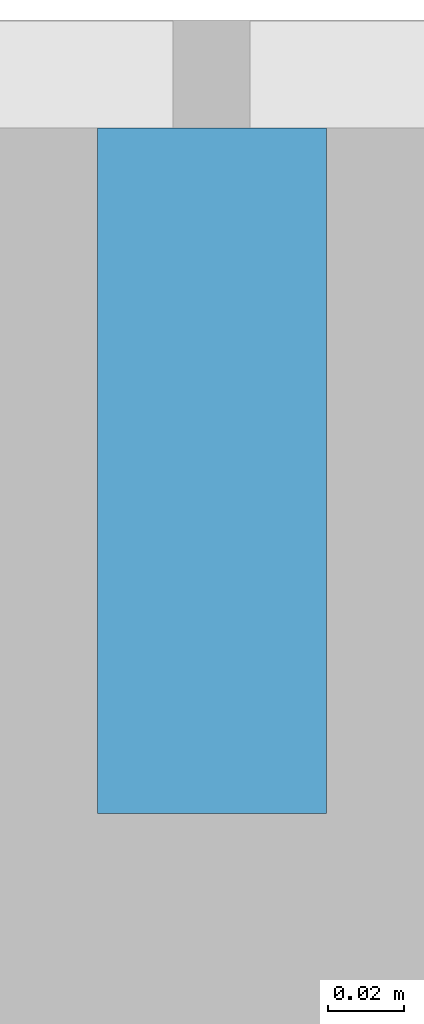
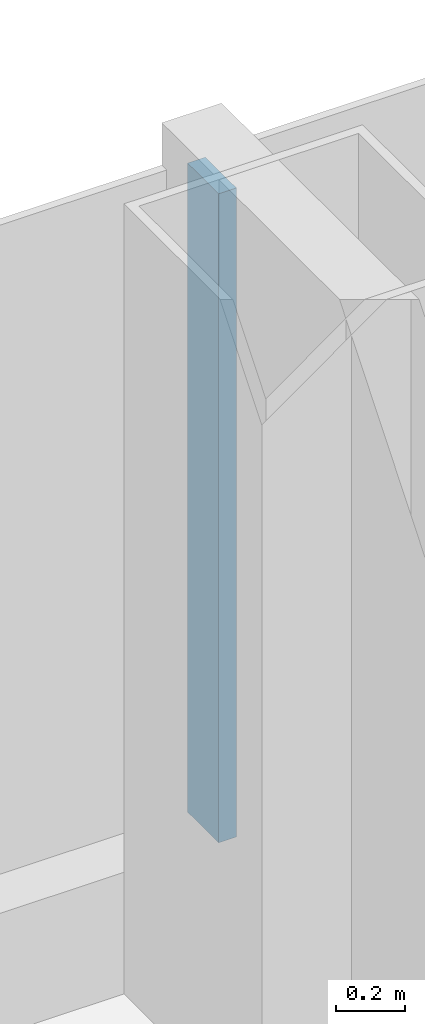
# One storey, part 8 of 29: 1 member, 1 element without a shape of its own.
"""IFC4 building model written with IfcOpenShell, lengths in metres."""

from ifc_helpers import new_model, si_unit, direction, frame, origin, origin_2d, place, context, subcontext, project, spatial, rectangle, extrude, material, layer, layer_set, material_profile, profile_set, type_object, element, aggregate, save


model = new_model("IFC4")

# Units and contexts
model_context = context("Model", 3, precision=1e-05, world=origin(), true_north=direction((0.0, 1.0)))
body_context = subcontext(model_context, "Body", "Model", "MODEL_VIEW")
ifc_project = project(units=[si_unit("LENGTHUNIT", "METRE"), si_unit("AREAUNIT", "SQUARE_METRE"), si_unit("VOLUMEUNIT", "CUBIC_METRE"), si_unit("PLANEANGLEUNIT", "RADIAN"), si_unit("MASSUNIT", "GRAM", prefix="KILO")], contexts=[model_context])

# Site, building, storey
site_placement = place(None, origin())
site = spatial("IfcSite", under=ifc_project, at=site_placement, CompositionType="ELEMENT")
building_placement = place(site_placement, origin())
building = spatial("IfcBuilding", under=site, at=building_placement, Name="Hakoniwa Tower and Hamabe Station Hall", CompositionType="ELEMENT")
storey_placement = place(building_placement, frame((0.0, 0.0, 104.199951171875)))
storey = spatial("IfcBuildingStorey", under=building, at=storey_placement, Name="L29", CompositionType="ELEMENT", Elevation=104.199951171875)

# Curtain wall, member
ifc_material_1 = material(Name="Dark low-e laminated glass", Category="glass")
ifc_layer = layer(ifc_material_1, 0.199951171875)
ifc_layer_set = layer_set([ifc_layer], Name="CW-1 UNITISED GUEST")
curtain_wall_type = type_object("IfcCurtainWallType", Name="CW-1 UNITISED GUEST", PredefinedType="NOTDEFINED", material=ifc_layer_set)
curtain_wall_placement = place(storey_placement, origin())
curtain_wall = element("IfcCurtainWall", 1, at=curtain_wall_placement, inside=storey, type_object=curtain_wall_type, Name="CW-1 curtain wall", PredefinedType="NOTDEFINED")
ifc_material_2 = material(Name="Aluminium 6063-T5 black anodised", Category="aluminium")
ifc_material_profile = material_profile(ifc_material_2, rectangle(XDim=0.06005859375, YDim=0.179931640625, at=origin_2d()), Name="CW-1 MULLION 60X180")
ifc_profile_set = profile_set([ifc_material_profile], Name="Aluminium 6063-T5 black anodised")
member_type = type_object("IfcMemberType", Name="CW-1 MULLION 60X180", PredefinedType="MULLION", material=ifc_profile_set)
member_placement = place(storey_placement, frame((-8.39990234375, 23.431884765625, 0.35009765625), z_axis=(0.0, 0.0, 1.0), x_axis=(-1.0, 0.0, 0.0)))
member = element("IfcMember", 2, at=member_placement, type_object=member_type, Name="CW-1 mullion", PredefinedType="MULLION", context=body_context, shape_type="SweptSolid", body=[
    extrude(rectangle(XDim=0.06005859375, YDim=0.179931640625, at=origin_2d()), origin(), (0.0, 0.0, 1.0), 2.300048828125),
])
aggregate(curtain_wall, [member])

save(model, "model.ifc")
